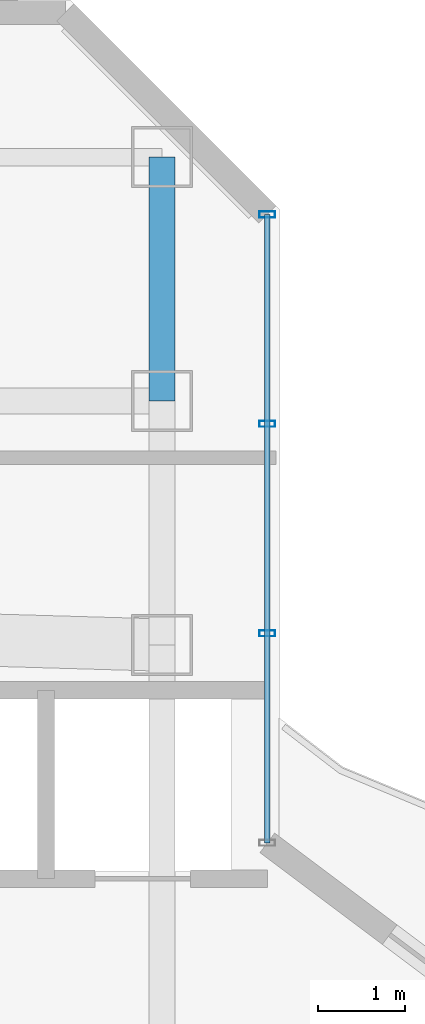
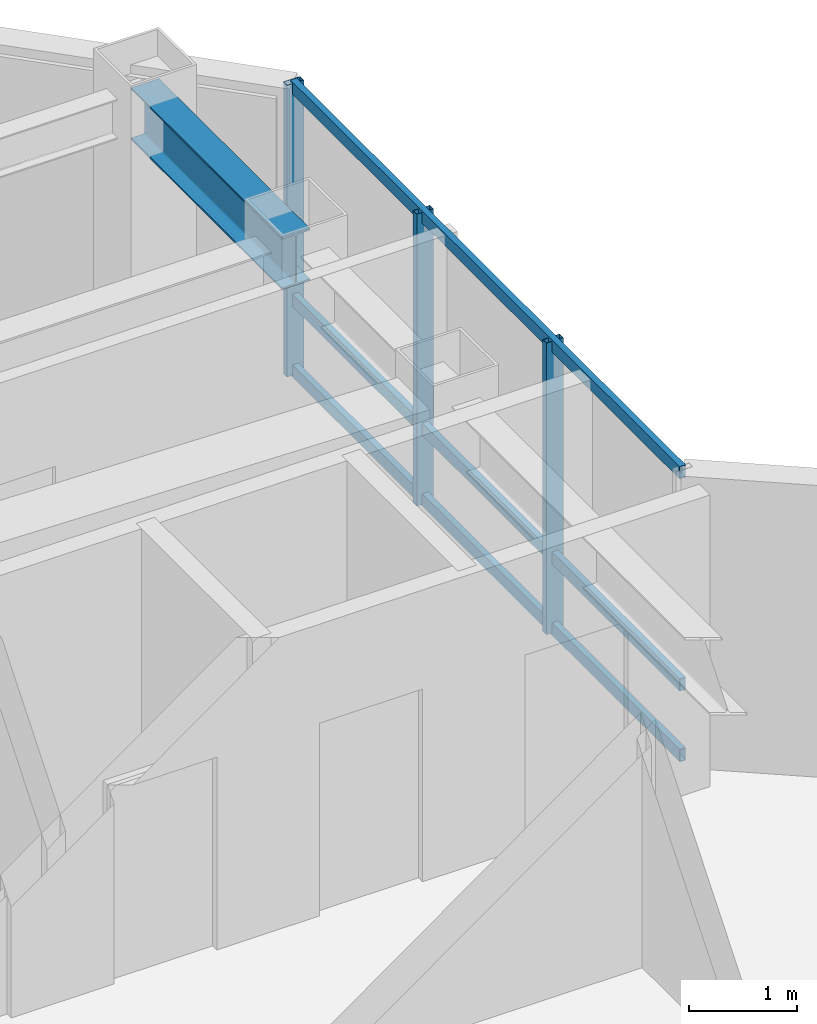
# One storey, part 17 of 25: 6 members, 1 beam, 1 element without a shape of its own.
"""IFC4 building model written with IfcOpenShell, lengths in metres."""

from ifc_helpers import new_model, si_unit, direction, frame, origin, origin_2d, place, context, subcontext, project, spatial, hollow_rectangle, i_section, extrude, material, layer, layer_set, material_profile, profile_set, type_object, element, aggregate, save


model = new_model("IFC4")

# Units and contexts
model_context = context("Model", 3, precision=1e-05, world=origin(), true_north=direction((0.0, 1.0)))
body_context = subcontext(model_context, "Body", "Model", "MODEL_VIEW")
ifc_project = project(units=[si_unit("LENGTHUNIT", "METRE"), si_unit("AREAUNIT", "SQUARE_METRE"), si_unit("VOLUMEUNIT", "CUBIC_METRE"), si_unit("PLANEANGLEUNIT", "RADIAN"), si_unit("MASSUNIT", "GRAM", prefix="KILO")], contexts=[model_context])

# Site, building, storey
site_placement = place(None, origin())
site = spatial("IfcSite", under=ifc_project, at=site_placement, CompositionType="ELEMENT")
building_placement = place(site_placement, origin())
building = spatial("IfcBuilding", under=site, at=building_placement, Name="Hatsunagi Terrace Concourse", CompositionType="ELEMENT")
storey_placement = place(building_placement, frame((0.0, 0.0, 231.14990234375)))
storey = spatial("IfcBuildingStorey", under=building, at=storey_placement, Name="L61", CompositionType="ELEMENT", Elevation=231.14990234375)

# Curtain wall, members
ifc_material_1 = material(Name="Anodised Aluminium Alloy 6063-T5", Category="aluminium")
ifc_layer = layer(ifc_material_1, 0.199951171875)
ifc_layer_set = layer_set([ifc_layer], Name="OfficeZone2_CW04")
curtain_wall_type = type_object("IfcCurtainWallType", Name="OfficeZone2_CW04", PredefinedType="NOTDEFINED", material=ifc_layer_set)
curtain_wall_placement = place(storey_placement, origin())
curtain_wall = element("IfcCurtainWall", 1, at=curtain_wall_placement, inside=storey, type_object=curtain_wall_type, Name="Unitised Curtain Wall CW-04 CW-L61-12", PredefinedType="NOTDEFINED")
ifc_material_2 = material(Name="Anodised Aluminium Alloy 6063-T5", Category="aluminium")
ifc_material_profile_1 = material_profile(ifc_material_2, hollow_rectangle(XDim=0.070068359375, YDim=0.179931640625, WallThickness=0.00390625, at=origin_2d()), Name="ALU-MUL-180x70x4")
ifc_profile_set_1 = profile_set([ifc_material_profile_1], Name="Anodised Aluminium Alloy 6063-T5")
member_type_1 = type_object("IfcMemberType", Name="CurtainWallMullion_180x70", PredefinedType="MULLION", material=ifc_profile_set_1)
member_1_placement = place(storey_placement, frame((44.860107421875, 47.94189453125, 0.0), z_axis=(0.0, 0.0, 1.0), x_axis=(0.0, -1.0, 0.0)))
member_1 = element("IfcMember", 2, at=member_1_placement, type_object=member_type_1, Name="Curtain Wall Mullion MUL-02", PredefinedType="MULLION", context=body_context, shape_type="SweptSolid", body=[
    extrude(hollow_rectangle(XDim=0.070068359375, YDim=0.179931640625, WallThickness=0.00390625, at=origin_2d()), origin(), (0.0, 0.0, 1.0), 3.300048828125),
])
member_2_placement = place(storey_placement, frame((44.860107421875, 45.5380859375, 0.0), z_axis=(0.0, 0.0, 1.0), x_axis=(0.0, -1.0, 0.0)))
member_2 = element("IfcMember", 3, at=member_2_placement, type_object=member_type_1, Name="Curtain Wall Mullion MUL-02", PredefinedType="MULLION", context=body_context, shape_type="SweptSolid", body=[
    extrude(hollow_rectangle(XDim=0.070068359375, YDim=0.179931640625, WallThickness=0.00390625, at=origin_2d()), origin(), (0.0, 0.0, 1.0), 3.300048828125),
])
member_3_placement = place(storey_placement, frame((44.860107421875, 43.134033203125, 0.0), z_axis=(0.0, 0.0, 1.0), x_axis=(0.0, -1.0, 0.0)))
member_3 = element("IfcMember", 4, at=member_3_placement, type_object=member_type_1, Name="Curtain Wall Mullion MUL-02", PredefinedType="MULLION", context=body_context, shape_type="SweptSolid", body=[
    extrude(hollow_rectangle(XDim=0.070068359375, YDim=0.179931640625, WallThickness=0.00390625, at=origin_2d()), origin(), (0.0, 0.0, 1.0), 3.300048828125),
])
ifc_material_3 = material(Name="Anodised Aluminium Alloy 6063-T5", Category="aluminium")
ifc_material_profile_2 = material_profile(ifc_material_3, hollow_rectangle(XDim=0.06494140625, YDim=0.139892578125, WallThickness=0.00390625, at=origin_2d()), Name="ALU-TRN-140x65x4")
ifc_profile_set_2 = profile_set([ifc_material_profile_2], Name="Anodised Aluminium Alloy 6063-T5")
member_type_2 = type_object("IfcMemberType", Name="CurtainWallTransom_140x65", PredefinedType="USERDEFINED", material=ifc_profile_set_2)
member_4_placement = place(storey_placement, frame((44.860107421875, 47.94189453125, 0.050048828125), z_axis=(0.0, -1.0, 0.0), x_axis=(1.0, 0.0, 0.0)))
member_4 = element("IfcMember", 5, at=member_4_placement, type_object=member_type_2, Name="Curtain Wall Transom TRN-02", ObjectType="TRANSOM", PredefinedType="USERDEFINED", context=body_context, shape_type="SweptSolid", body=[
    extrude(hollow_rectangle(XDim=0.06494140625, YDim=0.139892578125, WallThickness=0.00390625, at=origin_2d()), origin(), (0.0, 0.0, 1.0), 7.2119140625),
])
member_5_placement = place(storey_placement, frame((44.860107421875, 47.94189453125, 0.85009765625), z_axis=(0.0, -1.0, 0.0), x_axis=(1.0, 0.0, 0.0)))
member_5 = element("IfcMember", 6, at=member_5_placement, type_object=member_type_2, Name="Curtain Wall Transom TRN-02", ObjectType="TRANSOM", PredefinedType="USERDEFINED", context=body_context, shape_type="SweptSolid", body=[
    extrude(hollow_rectangle(XDim=0.06494140625, YDim=0.139892578125, WallThickness=0.00390625, at=origin_2d()), origin(), (0.0, 0.0, 1.0), 7.2119140625),
])
member_6_placement = place(storey_placement, frame((44.860107421875, 47.94189453125, 3.25), z_axis=(0.0, -1.0, 0.0), x_axis=(1.0, 0.0, 0.0)))
member_6 = element("IfcMember", 7, at=member_6_placement, type_object=member_type_2, Name="Curtain Wall Transom TRN-02", ObjectType="TRANSOM", PredefinedType="USERDEFINED", context=body_context, shape_type="SweptSolid", body=[
    extrude(hollow_rectangle(XDim=0.06494140625, YDim=0.139892578125, WallThickness=0.00390625, at=origin_2d()), origin(), (0.0, 0.0, 1.0), 7.2119140625),
])
aggregate(curtain_wall, [member_1, member_2, member_3, member_4, member_5, member_6])

# Beam
ifc_material_4 = material(Name="Steel SN490B", Category="steel")
ifc_material_profile_3 = material_profile(ifc_material_4, i_section(OverallWidth=0.300048828125, OverallDepth=0.587890625, WebThickness=0.011962890625, FlangeThickness=0.02001953125, FilletRadius=0.01806640625, at=origin_2d()), Name="H-588x300x12x20")
ifc_profile_set_3 = profile_set([ifc_material_profile_3], Name="Steel SN490B")
beam_type = type_object("IfcBeamType", Name="OfficeHighGirder_H_588x300", PredefinedType="BEAM", material=ifc_profile_set_3)
beam_placement = place(storey_placement, frame((43.64990234375, 45.800048828125, 3.006103515625), z_axis=(0.0, 1.0, 0.0), x_axis=(-1.0, 0.0, 0.0)))
element("IfcBeam", 8, at=beam_placement, inside=storey, type_object=beam_type, Name="Beam G-06 BM-L61-KN-WN6", PredefinedType="BEAM", context=body_context, shape_type="SweptSolid", body=[
    extrude(i_section(OverallWidth=0.300048828125, OverallDepth=0.587890625, WebThickness=0.011962890625, FlangeThickness=0.02001953125, FilletRadius=0.01806640625, at=origin_2d()), origin(), (0.0, 0.0, 1.0), 2.800048828125),
])

save(model, "model.ifc")
